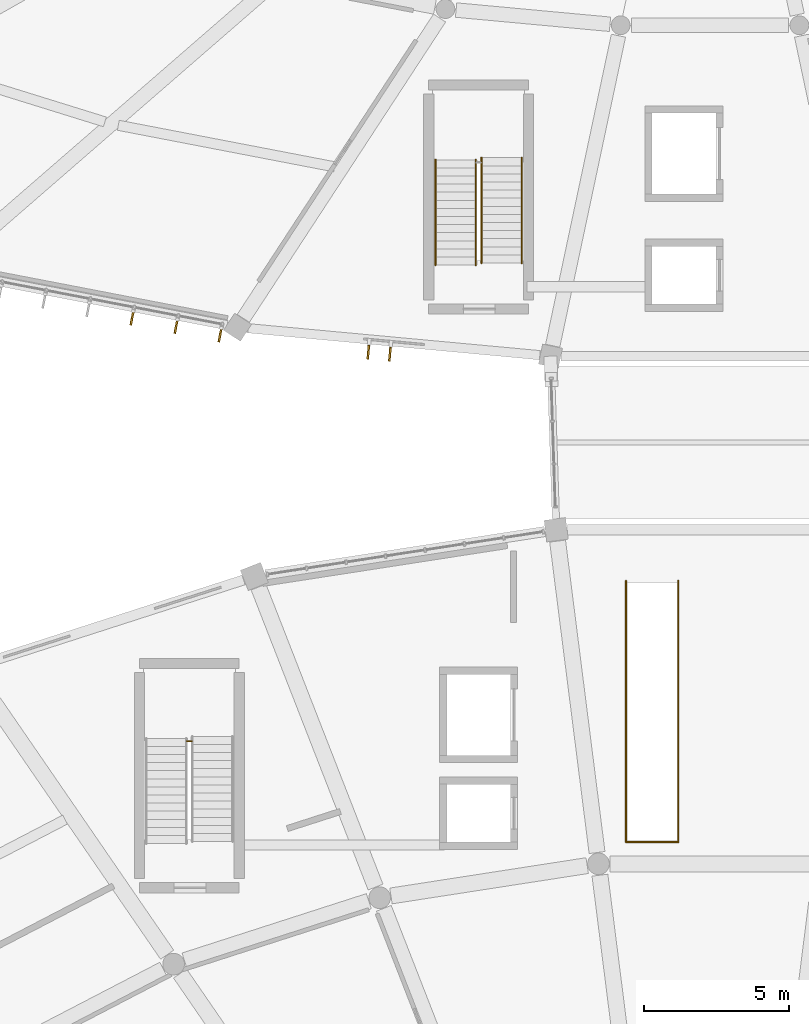
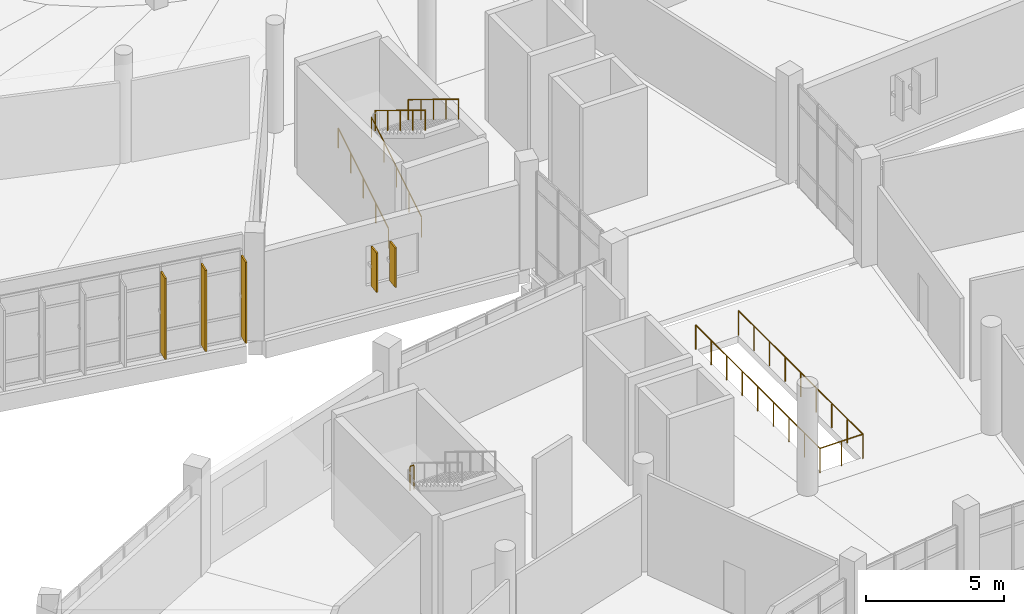
# One storey, part 158 of 179: 8 railings, 5 shading devices.
"""IFC4 building model written with IfcOpenShell, lengths in metres."""

from ifc_helpers import new_model, si_unit, direction, frame, origin, origin_2d, place, context, subcontext, project, spatial, rectangle, circle, extrude, material, layer, layer_set, type_object, element, save


model = new_model("IFC4")

# Units and contexts
model_context = context("Model", 3, precision=1e-05, world=origin(), true_north=direction((0.0, 1.0)))
body_context = subcontext(model_context, "Body", "Model", "MODEL_VIEW")
ifc_project = project(units=[si_unit("LENGTHUNIT", "METRE"), si_unit("AREAUNIT", "SQUARE_METRE"), si_unit("VOLUMEUNIT", "CUBIC_METRE"), si_unit("PLANEANGLEUNIT", "RADIAN"), si_unit("MASSUNIT", "GRAM", prefix="KILO")], contexts=[model_context])

# Site, building, storey
site_placement = place(None, origin())
site = spatial("IfcSite", under=ifc_project, at=site_placement, CompositionType="ELEMENT")
building_placement = place(site_placement, origin())
building = spatial("IfcBuilding", under=site, at=building_placement, Name="Corvandel Quay Wholesale Market", CompositionType="ELEMENT")
storey_placement = place(building_placement, frame((0.0, 0.0, 6.0)))
storey = spatial("IfcBuildingStorey", under=building, at=storey_placement, Name="L01", CompositionType="ELEMENT", Elevation=6.0)

# Railings
ifc_material_1 = material(Name="Painted galvanised tubular steel", Category="steel")
ifc_layer_1 = layer(ifc_material_1, 0.054931640625)
ifc_layer_set_1 = layer_set([ifc_layer_1], Name="Painted galvanised tubular steel")
railing_type_1 = type_object("IfcRailingType", Name="Stairwell Inner Guard Railing GR02 1100mm", PredefinedType="GUARDRAIL", material=ifc_layer_set_1)
railing_1_placement = place(storey_placement, frame((95.919921875, 76.68994140625, 2.39990234375)))
element("IfcRailing", 1, at=railing_1_placement, inside=storey, type_object=railing_type_1, Name="Stair Landing Well Guard 0011", PredefinedType="GUARDRAIL", context=body_context, shape_type="SweptSolid", body=[
    extrude(circle(Radius=0.02392578125, at=origin_2d()), frame((0.0, 0.0, 1.076171875), z_axis=(1.0, 0.0, 0.0), x_axis=(0.0, 1.0, 0.0)), (0.0, 0.0, 1.0), 0.16015625),
    extrude(circle(Radius=0.02099609375, at=origin_2d()), origin(), (0.0, 0.0, 1.0), 1.052001953125),
    extrude(circle(Radius=0.02099609375, at=origin_2d()), frame((0.16015625, 0.0, 0.0)), (0.0, 0.0, 1.0), 1.052001953125),
])
for number, where, name in (
    (2, (111.10009765625, 73.199951171875, 0.0), "Feature Stair Well Guard 0223"),
    (3, (112.89990234375, 73.199951171875, 0.0), "Feature Stair Well Guard 0224"),
):
    element("IfcRailing", number, at=place(storey_placement, frame(where)), inside=storey, type_object=railing_type_1, Name=name, PredefinedType="GUARDRAIL", context=body_context, shape_type="SweptSolid", body=[
        extrude(circle(Radius=0.02392578125, at=origin_2d()), frame((0.0, 0.0, 1.076171875), z_axis=(0.0, 1.0, 0.0), x_axis=(-1.0, 0.0, 0.0)), (0.0, 0.0, 1.0), 9.030029296875),
        extrude(circle(Radius=0.02099609375, at=origin_2d()), origin(), (0.0, 0.0, 1.0), 1.052001953125),
        extrude(circle(Radius=0.02099609375, at=origin_2d()), frame((0.0, 1.128662109375, 0.0)), (0.0, 0.0, 1.0), 1.052001953125),
        extrude(circle(Radius=0.02099609375, at=origin_2d()), frame((0.0, 2.257568359375, 0.0)), (0.0, 0.0, 1.0), 1.052001953125),
        extrude(circle(Radius=0.02099609375, at=origin_2d()), frame((0.0, 3.38623046875, 0.0)), (0.0, 0.0, 1.0), 1.052001953125),
        extrude(circle(Radius=0.02099609375, at=origin_2d()), frame((0.0, 4.51513671875, 0.0)), (0.0, 0.0, 1.0), 1.052001953125),
        extrude(circle(Radius=0.02099609375, at=origin_2d()), frame((0.0, 5.643798828125, 0.0)), (0.0, 0.0, 1.0), 1.052001953125),
        extrude(circle(Radius=0.02099609375, at=origin_2d()), frame((0.0, 6.7724609375, 0.0)), (0.0, 0.0, 1.0), 1.052001953125),
        extrude(circle(Radius=0.02099609375, at=origin_2d()), frame((0.0, 7.9013671875, 0.0)), (0.0, 0.0, 1.0), 1.052001953125),
        extrude(circle(Radius=0.02099609375, at=origin_2d()), frame((0.0, 9.030029296875, 0.0)), (0.0, 0.0, 1.0), 1.052001953125),
    ])
railing_2_placement = place(storey_placement, frame((111.10009765625, 73.199951171875, 0.0)))
element("IfcRailing", 4, at=railing_2_placement, inside=storey, type_object=railing_type_1, Name="Feature Stair Well Guard 0225", PredefinedType="GUARDRAIL", context=body_context, shape_type="SweptSolid", body=[
    extrude(circle(Radius=0.02392578125, at=origin_2d()), frame((0.0, 0.0, 1.076171875), z_axis=(1.0, 0.0, 0.0), x_axis=(0.0, 1.0, 0.0)), (0.0, 0.0, 1.0), 1.7998046875),
    extrude(circle(Radius=0.02099609375, at=origin_2d()), origin(), (0.0, 0.0, 1.0), 1.052001953125),
    extrude(circle(Radius=0.02099609375, at=origin_2d()), frame((0.89990234375, 0.0, 0.0)), (0.0, 0.0, 1.0), 1.052001953125),
    extrude(circle(Radius=0.02099609375, at=origin_2d()), frame((1.7998046875, 0.0, 0.0)), (0.0, 0.0, 1.0), 1.052001953125),
])
ifc_material_2 = material(Name="Brushed austenitic stainless steel Grade 316", Category="steel")
ifc_layer_2 = layer(ifc_material_2, 0.048095703125)
ifc_layer_set_2 = layer_set([ifc_layer_2], Name="Brushed austenitic stainless steel Grade 316")
railing_type_2 = type_object("IfcRailingType", Name="Tubular Stainless Stair Handrail HR01 915mm", PredefinedType="HANDRAIL", material=ifc_layer_set_2)
for number, where, name in (
    (5, (104.510009765625, 93.14990234375, 0.17138671875), "Stair Handrail 0051"),
    (6, (105.89990234375, 93.14990234375, 0.17138671875), "Stair Handrail 0052"),
):
    element("IfcRailing", number, at=place(storey_placement, frame(where)), inside=storey, type_object=railing_type_2, Name=name, PredefinedType="HANDRAIL", context=body_context, shape_type="SweptSolid", body=[
        extrude(circle(Radius=0.02392578125, at=origin_2d()), frame((0.0, 0.0, 0.89111328125), z_axis=(0.0, 0.852865859571, 0.52213008492), x_axis=(-1.0, 0.0, 0.0)), (0.0, 0.0, 1.0), 4.26806640625),
        extrude(circle(Radius=0.02099609375, at=origin_2d()), origin(), (0.0, 0.0, 1.0), 0.866943359375),
        extrude(circle(Radius=0.02099609375, at=origin_2d()), frame((0.0, 0.91015625, 0.55712890625)), (0.0, 0.0, 1.0), 0.866943359375),
        extrude(circle(Radius=0.02099609375, at=origin_2d()), frame((0.0, 1.820068359375, 1.1142578125)), (0.0, 0.0, 1.0), 0.866943359375),
        extrude(circle(Radius=0.02099609375, at=origin_2d()), frame((0.0, 2.72998046875, 1.67138671875)), (0.0, 0.0, 1.0), 0.866943359375),
        extrude(circle(Radius=0.02099609375, at=origin_2d()), frame((0.0, 3.64013671875, 2.228515625)), (0.0, 0.0, 1.0), 0.866943359375),
    ])
for number, where, name in (
    (7, (106.10009765625, 96.860107421875, 2.5712890625), "Stair Handrail 0053"),
    (8, (107.489990234375, 96.860107421875, 2.5712890625), "Stair Handrail 0054"),
):
    element("IfcRailing", number, at=place(storey_placement, frame(where)), inside=storey, type_object=railing_type_2, Name=name, PredefinedType="HANDRAIL", context=body_context, shape_type="SweptSolid", body=[
        extrude(circle(Radius=0.02392578125, at=origin_2d()), frame((0.0, 0.0, 0.89111328125), z_axis=(0.0, -0.852840387347, 0.522171689878), x_axis=(1.0, 0.0, 0.0)), (0.0, 0.0, 1.0), 4.268310546875),
        extrude(circle(Radius=0.02099609375, at=origin_2d()), origin(), (0.0, 0.0, 1.0), 0.866943359375),
        extrude(circle(Radius=0.02099609375, at=origin_2d()), frame((0.0, -0.91015625, 0.55712890625)), (0.0, 0.0, 1.0), 0.866943359375),
        extrude(circle(Radius=0.02099609375, at=origin_2d()), frame((0.0, -1.820068359375, 1.1142578125)), (0.0, 0.0, 1.0), 0.866943359375),
        extrude(circle(Radius=0.02099609375, at=origin_2d()), frame((0.0, -2.72998046875, 1.671630859375)), (0.0, 0.0, 1.0), 0.866943359375),
        extrude(circle(Radius=0.02099609375, at=origin_2d()), frame((0.0, -3.64013671875, 2.228759765625)), (0.0, 0.0, 1.0), 0.866943359375),
    ])

# Shading devices
ifc_material_3 = material(Name="Bronze anodised extruded aluminium 6063-T6", Category="aluminium")
shading_device_type = type_object("IfcShadingDeviceType", Name="Vertical Anodised Bronze Solar Fin FN01 480mm", PredefinedType="JALOUSIE", material=ifc_material_3)
for number, where, z_axis, x_axis, name in (
    (9, (94.01953125, 91.313232421875, 0.175048828125), (0.0, 0.0, 1.0), (0.188924055984, 0.981991701121, 0.0), "Solar Fin 0319"),
    (10, (95.541259765625, 91.0205078125, 0.175048828125), (0.0, 0.0, 1.0), (0.188924055984, 0.981991701121, 0.0), "Solar Fin 0320"),
    (11, (97.06298828125, 90.727783203125, 0.175048828125), (0.0, 0.0, 1.0), (0.188924055984, 0.981991701121, 0.0), "Solar Fin 0321"),
):
    element("IfcShadingDevice", number, at=place(storey_placement, frame(where, z_axis=z_axis, x_axis=x_axis)), inside=storey, type_object=shading_device_type, Name=name, PredefinedType="JALOUSIE", context=body_context, shape_type="SweptSolid", body=[
        extrude(rectangle(XDim=0.47998046875, YDim=0.06494140625, at=origin_2d()), origin(), (0.0, 0.0, 1.0), 3.60009765625),
    ])
for number, where, z_axis, x_axis, name in (
    (12, (102.187255859375, 90.1396484375, 1.0), (0.0, 0.0, 1.0), (0.092023008338, 0.995756880939, 0.0), "Solar Fin 0338"),
    (13, (102.93408203125, 90.070556640625, 1.0), (0.0, 0.0, 1.0), (0.092023008338, 0.995756880939, 0.0), "Solar Fin 0339"),
):
    element("IfcShadingDevice", number, at=place(storey_placement, frame(where, z_axis=z_axis, x_axis=x_axis)), inside=storey, type_object=shading_device_type, Name=name, PredefinedType="JALOUSIE", context=body_context, shape_type="SweptSolid", body=[
        extrude(rectangle(XDim=0.47998046875, YDim=0.06494140625, at=origin_2d()), origin(), (0.0, 0.0, 1.0), 1.75),
    ])

save(model, "model.ifc")
